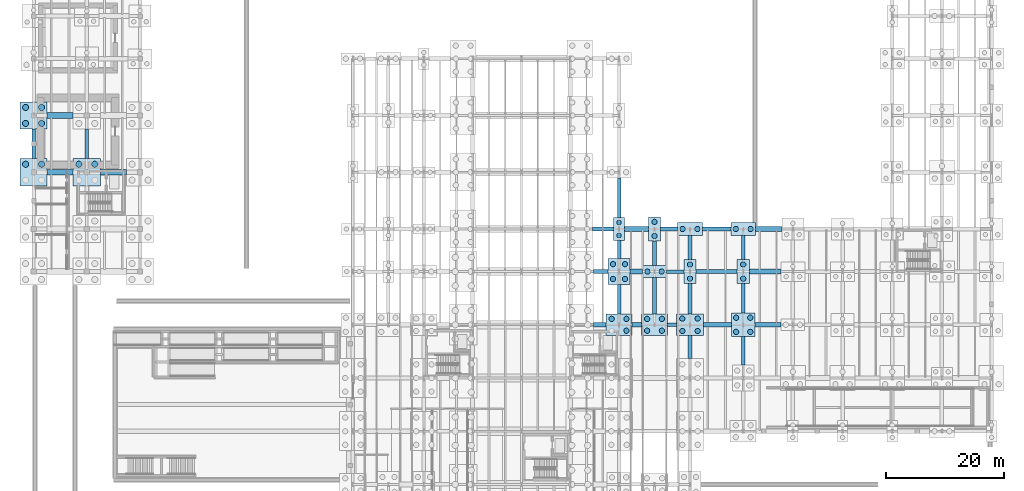
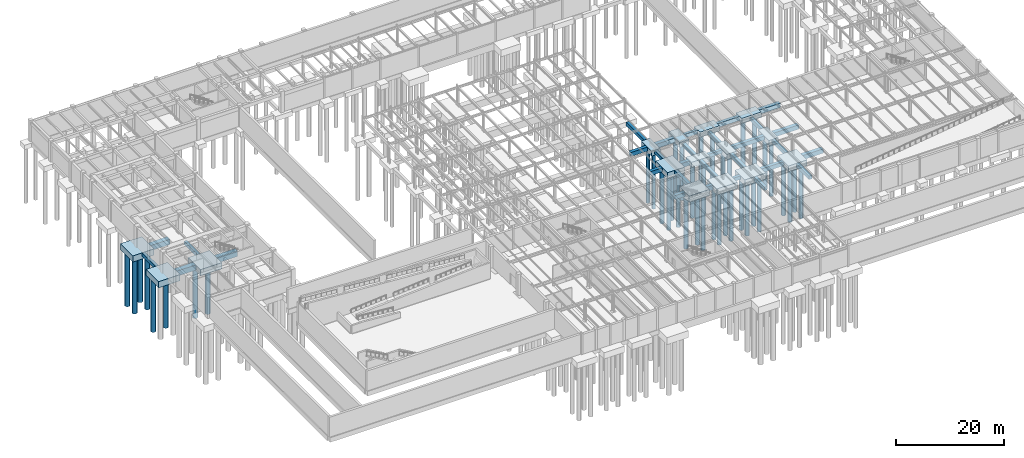
# One storey, part 5 of 59: 46 footings, 41 piles.
"""IFC4 building model written with IfcOpenShell, lengths in metres."""

from ifc_helpers import new_model, si_unit, direction, frame, origin, origin_2d, place, context, subcontext, project, spatial, polyline, rectangle, circle, outline, extrude, material, material_profile, profile_set, type_object, element, save


model = new_model("IFC4")

# Units and contexts
model_context = context("Model", 3, precision=1e-05, world=origin(), true_north=direction((0.0, 1.0)))
body_context = subcontext(model_context, "Body", "Model", "MODEL_VIEW")
ifc_project = project(units=[si_unit("LENGTHUNIT", "METRE"), si_unit("AREAUNIT", "SQUARE_METRE"), si_unit("VOLUMEUNIT", "CUBIC_METRE"), si_unit("PLANEANGLEUNIT", "RADIAN"), si_unit("MASSUNIT", "GRAM", prefix="KILO")], contexts=[model_context])

# Site, building, storey
site_placement = place(None, origin())
site = spatial("IfcSite", under=ifc_project, at=site_placement, CompositionType="ELEMENT")
building_placement = place(site_placement, origin())
building = spatial("IfcBuilding", under=site, at=building_placement, Name="Montealbar Specialist Clinic", CompositionType="ELEMENT")
storey_placement = place(building_placement, frame((0.0, 0.0, -4.800048828125)))
storey = spatial("IfcBuildingStorey", under=building, at=storey_placement, Name="B01", CompositionType="ELEMENT", Elevation=-4.800048828125)

# Footings
ifc_material = material(Name="Concrete C35/45", Category="concrete")
footing_type_1 = type_object("IfcFootingType", Name="FB-BUNKER-1000x1200", PredefinedType="FOOTING_BEAM", material=ifc_material)
footing_1_placement = place(storey_placement, frame((0.0, 0.0, -1.64990234375)))
element("IfcFooting", 1, at=footing_1_placement, inside=storey, type_object=footing_type_1, Name="Foundation Ground Beam FBX-23-67-618", PredefinedType="FOOTING_BEAM", context=body_context, shape_type="SweptSolid", body=[
    extrude(outline(polyline([(2.300048828125, 61.300048828125), (6.699951171875, 61.300048828125), (6.699951171875, 62.300048828125), (2.300048828125, 62.300048828125), (2.300048828125, 61.300048828125)])), origin(), (0.0, 0.0, 1.0), 1.199951171875),
])
footing_2_placement = place(storey_placement, frame((0.0, 0.0, -1.64990234375)))
element("IfcFooting", 2, at=footing_2_placement, inside=storey, type_object=footing_type_1, Name="Foundation Ground Beam FBX-113-157-618", PredefinedType="FOOTING_BEAM", context=body_context, shape_type="SweptSolid", body=[
    extrude(outline(polyline([(11.300048828125, 61.300048828125), (15.699951171875, 61.300048828125), (15.699951171875, 62.300048828125), (11.300048828125, 62.300048828125), (11.300048828125, 61.300048828125)])), origin(), (0.0, 0.0, 1.0), 1.199951171875),
])
footing_3_placement = place(storey_placement, frame((0.0, 0.0, -1.64990234375)))
element("IfcFooting", 3, at=footing_3_placement, inside=storey, type_object=footing_type_1, Name="Foundation Ground Beam FBX-23-67-714", PredefinedType="FOOTING_BEAM", context=body_context, shape_type="SweptSolid", body=[
    extrude(outline(polyline([(2.300048828125, 70.89990234375), (6.699951171875, 70.89990234375), (6.699951171875, 71.89990234375), (2.300048828125, 71.89990234375), (2.300048828125, 70.89990234375)])), origin(), (0.0, 0.0, 1.0), 1.199951171875),
])
footing_type_2 = type_object("IfcFootingType", Name="FB-TIE-600x800", PredefinedType="FOOTING_BEAM", material=ifc_material)
footing_4_placement = place(storey_placement, frame((0.0, 0.0, -1.25)))
element("IfcFooting", 4, at=footing_4_placement, inside=storey, type_object=footing_type_2, Name="Foundation Ground Beam FBX-1072-1088-360", PredefinedType="FOOTING_BEAM", context=body_context, shape_type="SweptSolid", body=[
    extrude(outline(polyline([(107.199951171875, 35.699951171875), (108.75, 35.699951171875), (108.75, 36.300048828125), (107.199951171875, 36.300048828125), (107.199951171875, 35.699951171875)])), origin(), (0.0, 0.0, 1.0), 0.800048828125),
])
footing_5_placement = place(storey_placement, frame((0.0, 0.0, -1.25)))
element("IfcFooting", 5, at=footing_5_placement, inside=storey, type_object=footing_type_2, Name="Foundation Ground Beam FBX-1070-1100-450", PredefinedType="FOOTING_BEAM", context=body_context, shape_type="SweptSolid", body=[
    extrude(outline(polyline([(107.0, 44.699951171875), (109.97509765625, 44.699951171875), (109.97509765625, 45.300048828125), (107.0, 45.300048828125), (107.0, 44.699951171875)])), origin(), (0.0, 0.0, 1.0), 0.800048828125),
])
footing_6_placement = place(storey_placement, frame((0.0, 0.0, -0.800048828125)))
element("IfcFooting", 6, at=footing_6_placement, inside=storey, type_object=footing_type_2, Name="Foundation Ground Beam FBX-1060-1089-522", PredefinedType="FOOTING_BEAM", context=body_context, shape_type="SweptSolid", body=[
    extrude(outline(polyline([(106.02490234375, 51.89990234375), (108.89990234375, 51.89990234375), (108.89990234375, 52.5), (106.02490234375, 52.5), (106.02490234375, 51.89990234375)])), origin(), (0.0, 0.0, 1.0), 0.800048828125),
])
footing_7_placement = place(storey_placement, frame((0.0, 0.0, -0.800048828125)))
element("IfcFooting", 7, at=footing_7_placement, inside=storey, type_object=footing_type_2, Name="Foundation Tie Beam FBY-0-641-691", PredefinedType="FOOTING_BEAM", context=body_context, shape_type="SweptSolid", body=[
    extrude(outline(polyline([(-0.300048828125, 64.10009765625), (0.300048828125, 64.10009765625), (0.300048828125, 69.10009765625), (-0.300048828125, 69.10009765625), (-0.300048828125, 64.10009765625)])), origin(), (0.0, 0.0, 1.0), 0.800048828125),
])
footing_8_placement = place(storey_placement, frame((0.0, 0.0, -1.25)))
element("IfcFooting", 8, at=footing_8_placement, inside=storey, type_object=footing_type_2, Name="Foundation Tie Beam FBY-90-641-691", PredefinedType="FOOTING_BEAM", context=body_context, shape_type="SweptSolid", body=[
    extrude(outline(polyline([(8.699951171875, 64.10009765625), (9.300048828125, 64.10009765625), (9.300048828125, 69.10009765625), (8.699951171875, 69.10009765625), (8.699951171875, 64.10009765625)])), origin(), (0.0, 0.0, 1.0), 0.800048828125),
])
footing_9_placement = place(storey_placement, frame((0.0, 0.0, -0.800048828125)))
element("IfcFooting", 9, at=footing_9_placement, inside=storey, type_object=footing_type_2, Name="Foundation Tie Beam FBY-990-378-428", PredefinedType="FOOTING_BEAM", context=body_context, shape_type="SweptSolid", body=[
    extrude(outline(polyline([(98.699951171875, 37.800048828125), (99.300048828125, 37.800048828125), (99.300048828125, 42.77490234375), (98.699951171875, 42.77490234375), (98.699951171875, 37.800048828125)])), origin(), (0.0, 0.0, 1.0), 0.800048828125),
])
footing_10_placement = place(storey_placement, frame((0.0, 0.0, -0.800048828125)))
element("IfcFooting", 10, at=footing_10_placement, inside=storey, type_object=footing_type_2, Name="Foundation Tie Beam FBY-990-472-503", PredefinedType="FOOTING_BEAM", context=body_context, shape_type="SweptSolid", body=[
    extrude(outline(polyline([(98.699951171875, 47.22509765625), (99.300048828125, 47.22509765625), (99.300048828125, 50.27490234375), (98.699951171875, 50.27490234375), (98.699951171875, 47.22509765625)])), origin(), (0.0, 0.0, 1.0), 0.800048828125),
])
footing_11_placement = place(storey_placement, frame((0.0, 0.0, -0.800048828125)))
element("IfcFooting", 11, at=footing_11_placement, inside=storey, type_object=footing_type_2, Name="Foundation Tie Beam FBY-990-541-608", PredefinedType="FOOTING_BEAM", context=body_context, shape_type="SweptSolid", body=[
    extrude(outline(polyline([(98.699951171875, 54.125), (99.300048828125, 54.125), (99.300048828125, 60.800048828125), (98.699951171875, 60.800048828125), (98.699951171875, 54.125)])), origin(), (0.0, 0.0, 1.0), 0.800048828125),
])
footing_12_placement = place(storey_placement, frame((0.0, 0.0, -1.25)))
element("IfcFooting", 12, at=footing_12_placement, inside=storey, type_object=footing_type_2, Name="Foundation Tie Beam FBY-1050-378-440", PredefinedType="FOOTING_BEAM", context=body_context, shape_type="SweptSolid", body=[
    extrude(outline(polyline([(104.699951171875, 37.800048828125), (105.300048828125, 37.800048828125), (105.300048828125, 44.0), (104.699951171875, 44.0), (104.699951171875, 37.800048828125)])), origin(), (0.0, 0.0, 1.0), 0.800048828125),
])
footing_13_placement = place(storey_placement, frame((0.0, 0.0, -1.25)))
element("IfcFooting", 13, at=footing_13_placement, inside=storey, type_object=footing_type_2, Name="Foundation Tie Beam FBY-1050-460-502", PredefinedType="FOOTING_BEAM", context=body_context, shape_type="SweptSolid", body=[
    extrude(outline(polyline([(104.699951171875, 46.0), (105.300048828125, 46.0), (105.300048828125, 50.14990234375), (104.699951171875, 50.14990234375), (104.699951171875, 46.0)])), origin(), (0.0, 0.0, 1.0), 0.800048828125),
])
footing_14_placement = place(storey_placement, frame((0.0, 0.0, -1.25)))
element("IfcFooting", 14, at=footing_14_placement, inside=storey, type_object=footing_type_2, Name="Foundation Tie Beam FBY-1110-303-342", PredefinedType="FOOTING_BEAM", context=body_context, shape_type="SweptSolid", body=[
    extrude(outline(polyline([(110.699951171875, 30.300048828125), (111.300048828125, 30.300048828125), (111.300048828125, 34.14990234375), (110.699951171875, 34.14990234375), (110.699951171875, 30.300048828125)])), origin(), (0.0, 0.0, 1.0), 0.800048828125),
])
footing_15_placement = place(storey_placement, frame((0.0, 0.0, -1.25)))
element("IfcFooting", 15, at=footing_15_placement, inside=storey, type_object=footing_type_2, Name="Foundation Tie Beam FBY-1110-378-430", PredefinedType="FOOTING_BEAM", context=body_context, shape_type="SweptSolid", body=[
    extrude(outline(polyline([(110.699951171875, 37.85009765625), (111.300048828125, 37.85009765625), (111.300048828125, 42.949951171875), (110.699951171875, 42.949951171875), (110.699951171875, 37.85009765625)])), origin(), (0.0, 0.0, 1.0), 0.800048828125),
])
footing_16_placement = place(storey_placement, frame((0.0, 0.0, -1.25)))
element("IfcFooting", 16, at=footing_16_placement, inside=storey, type_object=footing_type_2, Name="Foundation Tie Beam FBY-1110-470-511", PredefinedType="FOOTING_BEAM", context=body_context, shape_type="SweptSolid", body=[
    extrude(outline(polyline([(110.699951171875, 47.050048828125), (111.300048828125, 47.050048828125), (111.300048828125, 51.125), (110.699951171875, 51.125), (110.699951171875, 47.050048828125)])), origin(), (0.0, 0.0, 1.0), 0.800048828125),
])
footing_17_placement = place(storey_placement, frame((0.0, 0.0, -1.25)))
element("IfcFooting", 17, at=footing_17_placement, inside=storey, type_object=footing_type_2, Name="Foundation Tie Beam FBY-1200-292-340", PredefinedType="FOOTING_BEAM", context=body_context, shape_type="SweptSolid", body=[
    extrude(outline(polyline([(119.699951171875, 29.22509765625), (120.300048828125, 29.22509765625), (120.300048828125, 34.0), (119.699951171875, 34.0), (119.699951171875, 29.22509765625)])), origin(), (0.0, 0.0, 1.0), 0.800048828125),
])
footing_18_placement = place(storey_placement, frame((0.0, 0.0, -1.25)))
element("IfcFooting", 18, at=footing_18_placement, inside=storey, type_object=footing_type_2, Name="Foundation Tie Beam FBY-1200-380-430", PredefinedType="FOOTING_BEAM", context=body_context, shape_type="SweptSolid", body=[
    extrude(outline(polyline([(119.699951171875, 38.0), (120.300048828125, 38.0), (120.300048828125, 42.949951171875), (119.699951171875, 42.949951171875), (119.699951171875, 38.0)])), origin(), (0.0, 0.0, 1.0), 0.800048828125),
])
footing_19_placement = place(storey_placement, frame((0.0, 0.0, -1.25)))
element("IfcFooting", 19, at=footing_19_placement, inside=storey, type_object=footing_type_2, Name="Foundation Tie Beam FBY-1200-470-511", PredefinedType="FOOTING_BEAM", context=body_context, shape_type="SweptSolid", body=[
    extrude(outline(polyline([(119.699951171875, 47.050048828125), (120.300048828125, 47.050048828125), (120.300048828125, 51.125), (119.699951171875, 51.125), (119.699951171875, 47.050048828125)])), origin(), (0.0, 0.0, 1.0), 0.800048828125),
])
footing_type_3 = type_object("IfcFootingType", Name="FB-TIE-700x900", PredefinedType="FOOTING_BEAM", material=ifc_material)
footing_20_placement = place(storey_placement, frame((0.0, 0.0, -0.89990234375)))
element("IfcFooting", 20, at=footing_20_placement, inside=storey, type_object=footing_type_3, Name="Foundation Ground Beam FBX-946-968-360", PredefinedType="FOOTING_BEAM", context=body_context, shape_type="SweptSolid", body=[
    extrude(outline(polyline([(94.64990234375, 35.64990234375), (96.800048828125, 35.64990234375), (96.800048828125, 36.35009765625), (94.64990234375, 36.35009765625), (94.64990234375, 35.64990234375)])), origin(), (0.0, 0.0, 1.0), 0.89990234375),
])
footing_21_placement = place(storey_placement, frame((0.0, 0.0, -1.349853515625)))
element("IfcFooting", 21, at=footing_21_placement, inside=storey, type_object=footing_type_3, Name="Foundation Ground Beam FBX-1132-1180-360", PredefinedType="FOOTING_BEAM", context=body_context, shape_type="SweptSolid", body=[
    extrude(outline(polyline([(113.25, 35.64990234375), (118.0, 35.64990234375), (118.0, 36.35009765625), (113.25, 36.35009765625), (113.25, 35.64990234375)])), origin(), (0.0, 0.0, 1.0), 0.89990234375),
])
footing_22_placement = place(storey_placement, frame((0.0, 0.0, -0.89990234375)))
element("IfcFooting", 22, at=footing_22_placement, inside=storey, type_object=footing_type_3, Name="Foundation Ground Beam FBX-946-972-450", PredefinedType="FOOTING_BEAM", context=body_context, shape_type="SweptSolid", body=[
    extrude(outline(polyline([(94.64990234375, 44.64990234375), (97.175048828125, 44.64990234375), (97.175048828125, 45.35009765625), (94.64990234375, 45.35009765625), (94.64990234375, 44.64990234375)])), origin(), (0.0, 0.0, 1.0), 0.89990234375),
])
footing_23_placement = place(storey_placement, frame((0.0, 0.0, -1.349853515625)))
element("IfcFooting", 23, at=footing_23_placement, inside=storey, type_object=footing_type_3, Name="Foundation Ground Beam FBX-1120-1190-450", PredefinedType="FOOTING_BEAM", context=body_context, shape_type="SweptSolid", body=[
    extrude(outline(polyline([(112.02490234375, 44.64990234375), (118.97509765625, 44.64990234375), (118.97509765625, 45.35009765625), (112.02490234375, 45.35009765625), (112.02490234375, 44.64990234375)])), origin(), (0.0, 0.0, 1.0), 0.89990234375),
])
footing_24_placement = place(storey_placement, frame((0.0, 0.0, -0.89990234375)))
element("IfcFooting", 24, at=footing_24_placement, inside=storey, type_object=footing_type_3, Name="Foundation Ground Beam FBX-945-981-522", PredefinedType="FOOTING_BEAM", context=body_context, shape_type="SweptSolid", body=[
    extrude(outline(polyline([(94.5, 51.85009765625), (98.074951171875, 51.85009765625), (98.074951171875, 52.550048828125), (94.5, 52.550048828125), (94.5, 51.85009765625)])), origin(), (0.0, 0.0, 1.0), 0.89990234375),
])
footing_25_placement = place(storey_placement, frame((0.0, 0.0, -0.89990234375)))
element("IfcFooting", 25, at=footing_25_placement, inside=storey, type_object=footing_type_3, Name="Foundation Ground Beam FBX-1131-1179-522", PredefinedType="FOOTING_BEAM", context=body_context, shape_type="SweptSolid", body=[
    extrude(outline(polyline([(113.10009765625, 51.85009765625), (117.89990234375, 51.85009765625), (117.89990234375, 52.550048828125), (113.10009765625, 52.550048828125), (113.10009765625, 51.85009765625)])), origin(), (0.0, 0.0, 1.0), 0.89990234375),
])
footing_type_4 = type_object("IfcFootingType", Name="FB-TIE-800x1000", PredefinedType="FOOTING_BEAM", material=ifc_material)
footing_26_placement = place(storey_placement, frame((0.0, 0.0, -1.449951171875)))
element("IfcFooting", 26, at=footing_26_placement, inside=storey, type_object=footing_type_4, Name="Foundation Ground Beam FBX-1012-1028-360", PredefinedType="FOOTING_BEAM", context=body_context, shape_type="SweptSolid", body=[
    extrude(outline(polyline([(101.199951171875, 35.60009765625), (102.800048828125, 35.60009765625), (102.800048828125, 36.39990234375), (101.199951171875, 36.39990234375), (101.199951171875, 35.60009765625)])), origin(), (0.0, 0.0, 1.0), 1.0),
])
footing_27_placement = place(storey_placement, frame((0.0, 0.0, -1.449951171875)))
element("IfcFooting", 27, at=footing_27_placement, inside=storey, type_object=footing_type_4, Name="Foundation Ground Beam FBX-1220-1264-360", PredefinedType="FOOTING_BEAM", context=body_context, shape_type="SweptSolid", body=[
    extrude(outline(polyline([(122.0, 35.60009765625), (126.39990234375, 35.60009765625), (126.39990234375, 36.39990234375), (122.0, 36.39990234375), (122.0, 35.60009765625)])), origin(), (0.0, 0.0, 1.0), 1.0),
])
footing_28_placement = place(storey_placement, frame((0.0, 0.0, -1.449951171875)))
element("IfcFooting", 28, at=footing_28_placement, inside=storey, type_object=footing_type_4, Name="Foundation Ground Beam FBX-1008-1030-450", PredefinedType="FOOTING_BEAM", context=body_context, shape_type="SweptSolid", body=[
    extrude(outline(polyline([(100.824951171875, 44.60009765625), (103.0, 44.60009765625), (103.0, 45.39990234375), (100.824951171875, 45.39990234375), (100.824951171875, 44.60009765625)])), origin(), (0.0, 0.0, 1.0), 1.0),
])
footing_29_placement = place(storey_placement, frame((0.0, 0.0, -1.449951171875)))
element("IfcFooting", 29, at=footing_29_placement, inside=storey, type_object=footing_type_4, Name="Foundation Ground Beam FBX-1210-1264-450", PredefinedType="FOOTING_BEAM", context=body_context, shape_type="SweptSolid", body=[
    extrude(outline(polyline([(121.02490234375, 44.60009765625), (126.35009765625, 44.60009765625), (126.35009765625, 45.39990234375), (121.02490234375, 45.39990234375), (121.02490234375, 44.60009765625)])), origin(), (0.0, 0.0, 1.0), 1.0),
])
footing_30_placement = place(storey_placement, frame((0.0, 0.0, -1.0)))
element("IfcFooting", 30, at=footing_30_placement, inside=storey, type_object=footing_type_4, Name="Foundation Ground Beam FBX-999-1040-522", PredefinedType="FOOTING_BEAM", context=body_context, shape_type="SweptSolid", body=[
    extrude(outline(polyline([(99.925048828125, 51.800048828125), (103.97509765625, 51.800048828125), (103.97509765625, 52.60009765625), (99.925048828125, 52.60009765625), (99.925048828125, 51.800048828125)])), origin(), (0.0, 0.0, 1.0), 1.0),
])
footing_31_placement = place(storey_placement, frame((0.0, 0.0, -1.0)))
element("IfcFooting", 31, at=footing_31_placement, inside=storey, type_object=footing_type_4, Name="Foundation Ground Beam FBX-1221-1266-522", PredefinedType="FOOTING_BEAM", context=body_context, shape_type="SweptSolid", body=[
    extrude(outline(polyline([(122.10009765625, 51.800048828125), (126.550048828125, 51.800048828125), (126.550048828125, 52.60009765625), (122.10009765625, 52.60009765625), (122.10009765625, 51.800048828125)])), origin(), (0.0, 0.0, 1.0), 1.0),
])
footing_type_5 = type_object("IfcFootingType", Name="PC-2E", PredefinedType="PILE_CAP", material=ifc_material)
footing_32_placement = place(storey_placement, frame((99.0, 52.199951171875, -1.10009765625), z_axis=(0.0, 0.0, 1.0), x_axis=(1.0, 0.0, 0.0)))
element("IfcFooting", 32, at=footing_32_placement, inside=storey, type_object=footing_type_5, Name="Pile Cap 13/G", PredefinedType="PILE_CAP", context=body_context, shape_type="SweptSolid", body=[
    extrude(rectangle(XDim=1.85009765625, YDim=3.85009765625, at=origin_2d()), origin(), (0.0, 0.0, 1.0), 1.10009765625),
])
footing_type_6 = type_object("IfcFootingType", Name="PC-2F", PredefinedType="PILE_CAP", material=ifc_material)
footing_33_placement = place(storey_placement, frame((105.0, 45.0, -1.599853515625), z_axis=(0.0, 0.0, 1.0), x_axis=(1.0, 0.0, 0.0)))
element("IfcFooting", 33, at=footing_33_placement, inside=storey, type_object=footing_type_6, Name="Pile Cap 14/F", PredefinedType="PILE_CAP", context=body_context, shape_type="SweptSolid", body=[
    extrude(rectangle(XDim=4.0, YDim=2.0, at=origin_2d()), origin(), (0.0, 0.0, 1.0), 1.14990234375),
])
footing_type_7 = type_object("IfcFootingType", Name="PC-2G", PredefinedType="PILE_CAP", material=ifc_material)
for number, where, z_axis, x_axis, name in (
    (34, (105.0, 52.199951171875, -1.14990234375), (0.0, 0.0, 1.0), (1.0, 0.0, 0.0), "Pile Cap 14/G"),
    (35, (111.0, 45.0, -1.599853515625), (0.0, 0.0, 1.0), (1.0, 0.0, 0.0), "Pile Cap 15/F"),
    (36, (120.0, 45.0, -1.599853515625), (0.0, 0.0, 1.0), (1.0, 0.0, 0.0), "Pile Cap 16/F"),
):
    element("IfcFooting", number, at=place(storey_placement, frame(where, z_axis=z_axis, x_axis=x_axis)), inside=storey, type_object=footing_type_7, Name=name, PredefinedType="PILE_CAP", context=body_context, shape_type="SweptSolid", body=[
        extrude(rectangle(XDim=2.050048828125, YDim=4.10009765625, at=origin_2d()), origin(), (0.0, 0.0, 1.0), 1.14990234375),
    ])
footing_type_8 = type_object("IfcFootingType", Name="PC-2H", PredefinedType="PILE_CAP", material=ifc_material)
for number, where, z_axis, x_axis, name in (
    (37, (111.0, 52.199951171875, -1.19970703125), (0.0, 0.0, 1.0), (1.0, 0.0, 0.0), "Pile Cap 15/G"),
    (38, (120.0, 52.199951171875, -1.19970703125), (0.0, 0.0, 1.0), (1.0, 0.0, 0.0), "Pile Cap 16/G"),
):
    element("IfcFooting", number, at=place(storey_placement, frame(where, z_axis=z_axis, x_axis=x_axis)), inside=storey, type_object=footing_type_8, Name=name, PredefinedType="PILE_CAP", context=body_context, shape_type="SweptSolid", body=[
        extrude(rectangle(XDim=4.199951171875, YDim=2.14990234375, at=origin_2d()), origin(), (0.0, 0.0, 1.0), 1.199951171875),
    ])
footing_type_9 = type_object("IfcFootingType", Name="PC-4C", PredefinedType="PILE_CAP", material=ifc_material)
footing_34_placement = place(storey_placement, frame((120.0, 36.0, -1.75), z_axis=(0.0, 0.0, 1.0), x_axis=(1.0, 0.0, 0.0)))
element("IfcFooting", 39, at=footing_34_placement, inside=storey, type_object=footing_type_9, Name="Pile Cap 16/E", PredefinedType="PILE_CAP", context=body_context, shape_type="SweptSolid", body=[
    extrude(rectangle(XDim=4.0, YDim=4.0, at=origin_2d()), origin(), (0.0, 0.0, 1.0), 1.300048828125),
])
footing_type_10 = type_object("IfcFootingType", Name="PC-4G", PredefinedType="PILE_CAP", material=ifc_material)
footing_35_placement = place(storey_placement, frame((111.0, 36.0, -1.800048828125), z_axis=(0.0, 0.0, 1.0), x_axis=(1.0, 0.0, 0.0)))
element("IfcFooting", 40, at=footing_35_placement, inside=storey, type_object=footing_type_10, Name="Pile Cap 15/E", PredefinedType="PILE_CAP", context=body_context, shape_type="SweptSolid", body=[
    extrude(rectangle(XDim=4.5, YDim=3.699951171875, at=origin_2d()), origin(), (0.0, 0.0, 1.0), 1.35009765625),
])
footing_type_11 = type_object("IfcFootingType", Name="PC-4H", PredefinedType="PILE_CAP", material=ifc_material)
for number, where, z_axis, x_axis, name in (
    (41, (0.0, 61.800048828125, -1.39990234375), (0.0, 0.0, 1.0), (1.0, 0.0, 0.0), "Pile Cap 1/H"),
    (42, (0.0, 71.39990234375, -1.39990234375), (0.0, 0.0, 1.0), (1.0, 0.0, 0.0), "Pile Cap 1/J"),
    (43, (9.0, 61.800048828125, -1.849853515625), (0.0, 0.0, 1.0), (1.0, 0.0, 0.0), "Pile Cap 2/H"),
):
    element("IfcFooting", number, at=place(storey_placement, frame(where, z_axis=z_axis, x_axis=x_axis)), inside=storey, type_object=footing_type_11, Name=name, PredefinedType="PILE_CAP", context=body_context, shape_type="SweptSolid", body=[
        extrude(rectangle(XDim=4.60009765625, YDim=4.60009765625, at=origin_2d()), origin(), (0.0, 0.0, 1.0), 1.39990234375),
    ])
footing_type_12 = type_object("IfcFootingType", Name="PC-4J", PredefinedType="PILE_CAP", material=ifc_material)
for number, where, z_axis, x_axis, name in (
    (44, (99.0, 36.0, -1.39990234375), (0.0, 0.0, 1.0), (1.0, 0.0, 0.0), "Pile Cap 13/E"),
    (45, (105.0, 36.0, -1.849853515625), (0.0, 0.0, 1.0), (1.0, 0.0, 0.0), "Pile Cap 14/E"),
):
    element("IfcFooting", number, at=place(storey_placement, frame(where, z_axis=z_axis, x_axis=x_axis)), inside=storey, type_object=footing_type_12, Name=name, PredefinedType="PILE_CAP", context=body_context, shape_type="SweptSolid", body=[
        extrude(rectangle(XDim=4.39990234375, YDim=3.60009765625, at=origin_2d()), origin(), (0.0, 0.0, 1.0), 1.39990234375),
    ])
footing_type_13 = type_object("IfcFootingType", Name="PC-4K", PredefinedType="PILE_CAP", material=ifc_material)
footing_36_placement = place(storey_placement, frame((99.0, 45.0, -1.35009765625), z_axis=(0.0, 0.0, 1.0), x_axis=(1.0, 0.0, 0.0)))
element("IfcFooting", 46, at=footing_36_placement, inside=storey, type_object=footing_type_13, Name="Pile Cap 13/F", PredefinedType="PILE_CAP", context=body_context, shape_type="SweptSolid", body=[
    extrude(rectangle(XDim=3.64990234375, YDim=4.449951171875, at=origin_2d()), origin(), (0.0, 0.0, 1.0), 1.35009765625),
])

# Piles
ifc_material_profile_1 = material_profile(ifc_material, circle(Radius=0.52490234375, at=origin_2d()), Name="PILE D1050", Category="concrete")
ifc_profile_set_1 = profile_set([ifc_material_profile_1], Name="Concrete C35/45")
pile_type_1 = type_object("IfcPileType", Name="PILE-D1050", PredefinedType="BORED", material=ifc_profile_set_1)
for number, where, z_axis, x_axis, name in (
    (47, (-1.35009765625, 63.14990234375, -1.300048828125), (0.0, 0.0, -1.0), (1.0, 0.0, 0.0), "Bored Pile 1/H-P3"),
    (48, (1.35009765625, 63.14990234375, -1.300048828125), (0.0, 0.0, -1.0), (1.0, 0.0, 0.0), "Bored Pile 1/H-P4"),
    (49, (-1.35009765625, 70.050048828125, -1.300048828125), (0.0, 0.0, -1.0), (1.0, 0.0, 0.0), "Bored Pile 1/J-P1"),
    (50, (1.35009765625, 70.050048828125, -1.300048828125), (0.0, 0.0, -1.0), (1.0, 0.0, 0.0), "Bored Pile 1/J-P2"),
    (51, (-1.35009765625, 72.75, -1.300048828125), (0.0, 0.0, -1.0), (1.0, 0.0, 0.0), "Bored Pile 1/J-P3"),
    (52, (1.35009765625, 72.75, -1.300048828125), (0.0, 0.0, -1.0), (1.0, 0.0, 0.0), "Bored Pile 1/J-P4"),
):
    element("IfcPile", number, at=place(storey_placement, frame(where, z_axis=z_axis, x_axis=x_axis)), inside=storey, type_object=pile_type_1, Name=name, PredefinedType="BORED", context=body_context, shape_type="SweptSolid", body=[
        extrude(circle(Radius=0.52490234375, at=origin_2d()), origin(), (0.0, 0.0, 1.0), 12.39990234375),
    ])
for number, where, z_axis, x_axis, name in (
    (53, (7.64990234375, 63.14990234375, -1.75), (0.0, 0.0, -1.0), (1.0, 0.0, 0.0), "Bored Pile 2/H-P3"),
    (54, (10.35009765625, 63.14990234375, -1.75), (0.0, 0.0, -1.0), (1.0, 0.0, 0.0), "Bored Pile 2/H-P4"),
):
    element("IfcPile", number, at=place(storey_placement, frame(where, z_axis=z_axis, x_axis=x_axis)), inside=storey, type_object=pile_type_1, Name=name, PredefinedType="BORED", context=body_context, shape_type="SweptSolid", body=[
        extrude(circle(Radius=0.52490234375, at=origin_2d()), origin(), (0.0, 0.0, 1.0), 11.949951171875),
    ])
ifc_material_profile_2 = material_profile(ifc_material, circle(Radius=0.375, at=origin_2d()), Name="PILE D750", Category="concrete")
ifc_profile_set_2 = profile_set([ifc_material_profile_2], Name="Concrete C35/45")
pile_type_2 = type_object("IfcPileType", Name="PILE-D750", PredefinedType="BORED", material=ifc_profile_set_2)
for number, where, z_axis, x_axis, name in (
    (55, (99.0, 51.10009765625, -1.0), (0.0, 0.0, -1.0), (1.0, 0.0, 0.0), "Bored Pile 13/G-P1"),
    (56, (99.0, 53.300048828125, -1.0), (0.0, 0.0, -1.0), (1.0, 0.0, 0.0), "Bored Pile 13/G-P2"),
):
    element("IfcPile", number, at=place(storey_placement, frame(where, z_axis=z_axis, x_axis=x_axis)), inside=storey, type_object=pile_type_2, Name=name, PredefinedType="BORED", context=body_context, shape_type="SweptSolid", body=[
        extrude(circle(Radius=0.375, at=origin_2d()), origin(), (0.0, 0.0, 1.0), 12.699951171875),
    ])
ifc_material_profile_3 = material_profile(ifc_material, circle(Radius=0.449951171875, at=origin_2d()), Name="PILE D900", Category="concrete")
ifc_profile_set_3 = profile_set([ifc_material_profile_3], Name="Concrete C35/45")
pile_type_3 = type_object("IfcPileType", Name="PILE-D900", PredefinedType="BORED", material=ifc_profile_set_3)
for number, where, z_axis, x_axis, name in (
    (57, (100.25, 35.0, -1.300048828125), (0.0, 0.0, -1.0), (1.0, 0.0, 0.0), "Bored Pile 13/E-P2"),
    (58, (97.75, 37.0, -1.300048828125), (0.0, 0.0, -1.0), (1.0, 0.0, 0.0), "Bored Pile 13/E-P3"),
    (59, (100.25, 37.0, -1.300048828125), (0.0, 0.0, -1.0), (1.0, 0.0, 0.0), "Bored Pile 13/E-P4"),
):
    element("IfcPile", number, at=place(storey_placement, frame(where, z_axis=z_axis, x_axis=x_axis)), inside=storey, type_object=pile_type_3, Name=name, PredefinedType="BORED", context=body_context, shape_type="SweptSolid", body=[
        extrude(circle(Radius=0.449951171875, at=origin_2d()), origin(), (0.0, 0.0, 1.0), 12.39990234375),
    ])
for number, where, z_axis, x_axis, name in (
    (60, (97.97998046875, 43.75, -1.25), (0.0, 0.0, -1.0), (1.0, 0.0, 0.0), "Bored Pile 13/F-P1"),
    (61, (100.02001953125, 43.75, -1.25), (0.0, 0.0, -1.0), (1.0, 0.0, 0.0), "Bored Pile 13/F-P2"),
    (62, (97.97998046875, 46.25, -1.25), (0.0, 0.0, -1.0), (1.0, 0.0, 0.0), "Bored Pile 13/F-P3"),
    (63, (100.02001953125, 46.25, -1.25), (0.0, 0.0, -1.0), (1.0, 0.0, 0.0), "Bored Pile 13/F-P4"),
):
    element("IfcPile", number, at=place(storey_placement, frame(where, z_axis=z_axis, x_axis=x_axis)), inside=storey, type_object=pile_type_3, Name=name, PredefinedType="BORED", context=body_context, shape_type="SweptSolid", body=[
        extrude(circle(Radius=0.449951171875, at=origin_2d()), origin(), (0.0, 0.0, 1.0), 12.449951171875),
    ])
for number, where, z_axis, x_axis, name in (
    (64, (103.75, 35.0, -1.75), (0.0, 0.0, -1.0), (1.0, 0.0, 0.0), "Bored Pile 14/E-P1"),
    (65, (106.25, 35.0, -1.75), (0.0, 0.0, -1.0), (1.0, 0.0, 0.0), "Bored Pile 14/E-P2"),
    (66, (103.75, 37.0, -1.75), (0.0, 0.0, -1.0), (1.0, 0.0, 0.0), "Bored Pile 14/E-P3"),
    (67, (106.25, 37.0, -1.75), (0.0, 0.0, -1.0), (1.0, 0.0, 0.0), "Bored Pile 14/E-P4"),
):
    element("IfcPile", number, at=place(storey_placement, frame(where, z_axis=z_axis, x_axis=x_axis)), inside=storey, type_object=pile_type_3, Name=name, PredefinedType="BORED", context=body_context, shape_type="SweptSolid", body=[
        extrude(circle(Radius=0.449951171875, at=origin_2d()), origin(), (0.0, 0.0, 1.0), 11.949951171875),
    ])
for number, where, z_axis, x_axis, name in (
    (68, (103.800048828125, 45.0, -1.5), (0.0, 0.0, -1.0), (1.0, 0.0, 0.0), "Bored Pile 14/F-P1"),
    (69, (106.199951171875, 45.0, -1.5), (0.0, 0.0, -1.0), (1.0, 0.0, 0.0), "Bored Pile 14/F-P2"),
):
    element("IfcPile", number, at=place(storey_placement, frame(where, z_axis=z_axis, x_axis=x_axis)), inside=storey, type_object=pile_type_3, Name=name, PredefinedType="BORED", context=body_context, shape_type="SweptSolid", body=[
        extrude(circle(Radius=0.449951171875, at=origin_2d()), origin(), (0.0, 0.0, 1.0), 12.199951171875),
    ])
for number, where, z_axis, x_axis, name in (
    (70, (105.0, 51.0, -1.050048828125), (0.0, 0.0, -1.0), (1.0, 0.0, 0.0), "Bored Pile 14/G-P1"),
    (71, (105.0, 53.39990234375, -1.050048828125), (0.0, 0.0, -1.0), (1.0, 0.0, 0.0), "Bored Pile 14/G-P2"),
):
    element("IfcPile", number, at=place(storey_placement, frame(where, z_axis=z_axis, x_axis=x_axis)), inside=storey, type_object=pile_type_3, Name=name, PredefinedType="BORED", context=body_context, shape_type="SweptSolid", body=[
        extrude(circle(Radius=0.449951171875, at=origin_2d()), origin(), (0.0, 0.0, 1.0), 12.64990234375),
    ])
for number, where, z_axis, x_axis, name in (
    (72, (109.699951171875, 34.949951171875, -1.699951171875), (0.0, 0.0, -1.0), (1.0, 0.0, 0.0), "Bored Pile 15/E-P1"),
    (73, (112.300048828125, 34.949951171875, -1.699951171875), (0.0, 0.0, -1.0), (1.0, 0.0, 0.0), "Bored Pile 15/E-P2"),
    (74, (109.699951171875, 37.050048828125, -1.699951171875), (0.0, 0.0, -1.0), (1.0, 0.0, 0.0), "Bored Pile 15/E-P3"),
    (75, (112.300048828125, 37.050048828125, -1.699951171875), (0.0, 0.0, -1.0), (1.0, 0.0, 0.0), "Bored Pile 15/E-P4"),
):
    element("IfcPile", number, at=place(storey_placement, frame(where, z_axis=z_axis, x_axis=x_axis)), inside=storey, type_object=pile_type_3, Name=name, PredefinedType="BORED", context=body_context, shape_type="SweptSolid", body=[
        extrude(circle(Radius=0.449951171875, at=origin_2d()), origin(), (0.0, 0.0, 1.0), 12.0),
    ])
for number, where, z_axis, x_axis, name in (
    (76, (111.0, 43.800048828125, -1.5), (0.0, 0.0, -1.0), (1.0, 0.0, 0.0), "Bored Pile 15/F-P1"),
    (77, (111.0, 46.199951171875, -1.5), (0.0, 0.0, -1.0), (1.0, 0.0, 0.0), "Bored Pile 15/F-P2"),
):
    element("IfcPile", number, at=place(storey_placement, frame(where, z_axis=z_axis, x_axis=x_axis)), inside=storey, type_object=pile_type_3, Name=name, PredefinedType="BORED", context=body_context, shape_type="SweptSolid", body=[
        extrude(circle(Radius=0.449951171875, at=origin_2d()), origin(), (0.0, 0.0, 1.0), 12.199951171875),
    ])
for number, where, z_axis, x_axis, name in (
    (78, (109.75, 52.199951171875, -1.099853515625), (0.0, 0.0, -1.0), (1.0, 0.0, 0.0), "Bored Pile 15/G-P1"),
    (79, (112.25, 52.199951171875, -1.099853515625), (0.0, 0.0, -1.0), (1.0, 0.0, 0.0), "Bored Pile 15/G-P2"),
):
    element("IfcPile", number, at=place(storey_placement, frame(where, z_axis=z_axis, x_axis=x_axis)), inside=storey, type_object=pile_type_3, Name=name, PredefinedType="BORED", context=body_context, shape_type="SweptSolid", body=[
        extrude(circle(Radius=0.449951171875, at=origin_2d()), origin(), (0.0, 0.0, 1.0), 12.60009765625),
    ])
for number, where, z_axis, x_axis, name in (
    (80, (118.800048828125, 34.800048828125, -1.64990234375), (0.0, 0.0, -1.0), (1.0, 0.0, 0.0), "Bored Pile 16/E-P1"),
    (81, (121.199951171875, 34.800048828125, -1.64990234375), (0.0, 0.0, -1.0), (1.0, 0.0, 0.0), "Bored Pile 16/E-P2"),
    (82, (118.800048828125, 37.199951171875, -1.64990234375), (0.0, 0.0, -1.0), (1.0, 0.0, 0.0), "Bored Pile 16/E-P3"),
    (83, (121.199951171875, 37.199951171875, -1.64990234375), (0.0, 0.0, -1.0), (1.0, 0.0, 0.0), "Bored Pile 16/E-P4"),
):
    element("IfcPile", number, at=place(storey_placement, frame(where, z_axis=z_axis, x_axis=x_axis)), inside=storey, type_object=pile_type_3, Name=name, PredefinedType="BORED", context=body_context, shape_type="SweptSolid", body=[
        extrude(circle(Radius=0.449951171875, at=origin_2d()), origin(), (0.0, 0.0, 1.0), 12.050048828125),
    ])
for number, where, z_axis, x_axis, name in (
    (84, (120.0, 43.800048828125, -1.5), (0.0, 0.0, -1.0), (1.0, 0.0, 0.0), "Bored Pile 16/F-P1"),
    (85, (120.0, 46.199951171875, -1.5), (0.0, 0.0, -1.0), (1.0, 0.0, 0.0), "Bored Pile 16/F-P2"),
):
    element("IfcPile", number, at=place(storey_placement, frame(where, z_axis=z_axis, x_axis=x_axis)), inside=storey, type_object=pile_type_3, Name=name, PredefinedType="BORED", context=body_context, shape_type="SweptSolid", body=[
        extrude(circle(Radius=0.449951171875, at=origin_2d()), origin(), (0.0, 0.0, 1.0), 12.199951171875),
    ])
for number, where, z_axis, x_axis, name in (
    (86, (118.75, 52.199951171875, -1.099853515625), (0.0, 0.0, -1.0), (1.0, 0.0, 0.0), "Bored Pile 16/G-P1"),
    (87, (121.25, 52.199951171875, -1.099853515625), (0.0, 0.0, -1.0), (1.0, 0.0, 0.0), "Bored Pile 16/G-P2"),
):
    element("IfcPile", number, at=place(storey_placement, frame(where, z_axis=z_axis, x_axis=x_axis)), inside=storey, type_object=pile_type_3, Name=name, PredefinedType="BORED", context=body_context, shape_type="SweptSolid", body=[
        extrude(circle(Radius=0.449951171875, at=origin_2d()), origin(), (0.0, 0.0, 1.0), 12.60009765625),
    ])

save(model, "model.ifc")
